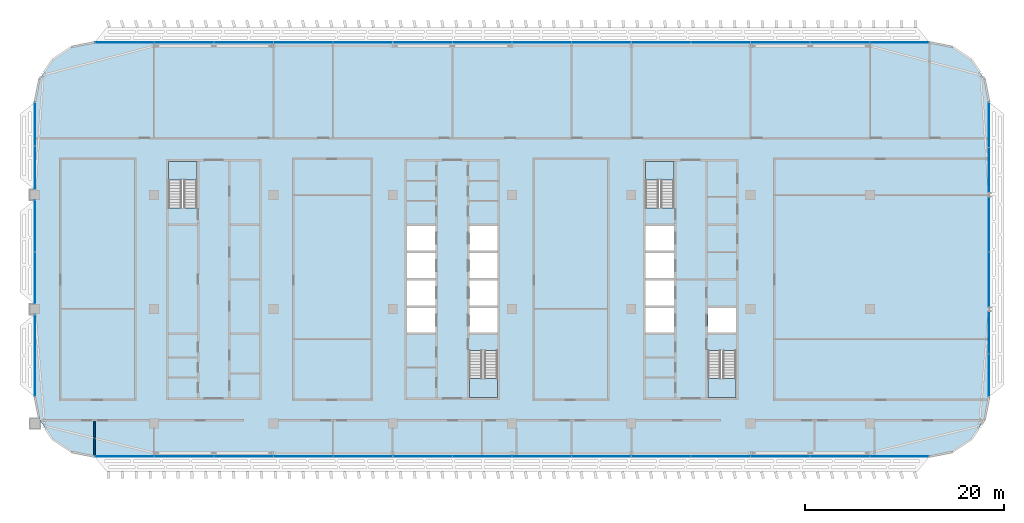
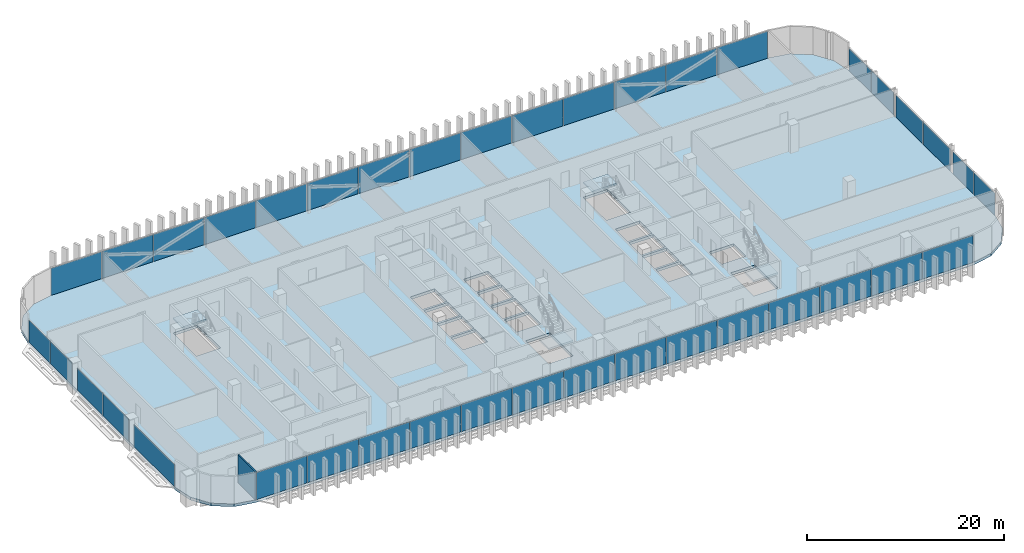
# One storey, part 16 of 35: 39 plates, 5 slabs, 1 wall, 12 elements without a shape of their own.
"""IFC4 building model written with IfcOpenShell, lengths in metres."""

from ifc_helpers import new_model, si_unit, direction, frame, frame_2d, origin, origin_2d, place, context, subcontext, project, spatial, polyline, rectangle, outline, extrude, material, layer, layer_set, type_object, element, aggregate, save


model = new_model("IFC4")

# Units and contexts
model_context = context("Model", 3, precision=1e-05, world=origin(), true_north=direction((0.0, 1.0)))
body_context = subcontext(model_context, "Body", "Model", "MODEL_VIEW")
ifc_project = project(units=[si_unit("LENGTHUNIT", "METRE"), si_unit("AREAUNIT", "SQUARE_METRE"), si_unit("VOLUMEUNIT", "CUBIC_METRE"), si_unit("PLANEANGLEUNIT", "RADIAN"), si_unit("MASSUNIT", "GRAM", prefix="KILO")], contexts=[model_context])

# Site, building, storey
site_placement = place(None, origin())
site = spatial("IfcSite", under=ifc_project, at=site_placement, CompositionType="ELEMENT")
building_placement = place(site_placement, origin())
building = spatial("IfcBuilding", under=site, at=building_placement, Name="Mahtab Terrace Research Tower", CompositionType="ELEMENT")
storey_placement = place(building_placement, frame((0.0, 0.0, 251.39990234375)))
storey = spatial("IfcBuildingStorey", under=building, at=storey_placement, Name="L61", CompositionType="ELEMENT", Elevation=251.39990234375)

# Stair, slab
ifc_material_1 = material(Name="Exit stair half-turn")
stair_type = type_object("IfcStairType", Name="Exit stair half-turn", PredefinedType="HALF_TURN_STAIR", material=ifc_material_1)
stair_1_placement = place(storey_placement, origin())
stair_1 = element("IfcStair", 1, at=stair_1_placement, inside=storey, type_object=stair_type, Name="L61 Protected exit stair ST1", PredefinedType="HALF_TURN_STAIR")
ifc_material_2 = material(Name="Concrete C40/50", Category="concrete")
ifc_layer_1 = layer(ifc_material_2, 0.199951171875)
ifc_layer_set_1 = layer_set([ifc_layer_1], Name="Exit stair landing 200")
slab_type_1 = type_object("IfcSlabType", Name="Exit stair landing 200", PredefinedType="LANDING", material=ifc_layer_set_1)
slab_1_placement = place(storey_placement, frame((0.0, 0.0, 1.7001953125)))
slab_1 = element("IfcSlab", 2, at=slab_1_placement, type_object=slab_type_1, Name="ST1 landing 1", PredefinedType="LANDING", context=body_context, shape_type="SweptSolid", body=[
    extrude(outline(polyline([(-25.699951171875, 12.97509765625), (-25.699951171875, 14.875), (-28.550048828125, 14.875), (-28.550048828125, 12.97509765625), (-25.699951171875, 12.97509765625)])), origin(), (0.0, 0.0, 1.0), 0.199951171875),
])
aggregate(stair_1, [slab_1])

stair_2_placement = place(storey_placement, origin())
stair_2 = element("IfcStair", 3, at=stair_2_placement, inside=storey, type_object=stair_type, Name="L61 Protected exit stair ST2", PredefinedType="HALF_TURN_STAIR")
slab_2_placement = place(storey_placement, frame((0.0, 0.0, 1.7001953125)))
slab_2 = element("IfcSlab", 4, at=slab_2_placement, type_object=slab_type_1, Name="ST2 landing 1", PredefinedType="LANDING", context=body_context, shape_type="SweptSolid", body=[
    extrude(outline(polyline([(1.699951171875, -6.97509765625), (1.699951171875, -8.875), (4.550048828125, -8.875), (4.550048828125, -6.97509765625), (1.699951171875, -6.97509765625)])), origin(), (0.0, 0.0, 1.0), 0.199951171875),
])
aggregate(stair_2, [slab_2])

stair_3_placement = place(storey_placement, origin())
stair_3 = element("IfcStair", 5, at=stair_3_placement, inside=storey, type_object=stair_type, Name="L61 Protected exit stair ST3", PredefinedType="HALF_TURN_STAIR")
slab_3_placement = place(storey_placement, frame((0.0, 0.0, 1.7001953125)))
slab_3 = element("IfcSlab", 6, at=slab_3_placement, type_object=slab_type_1, Name="ST3 landing 1", PredefinedType="LANDING", context=body_context, shape_type="SweptSolid", body=[
    extrude(outline(polyline([(22.300048828125, 12.97509765625), (22.300048828125, 14.875), (19.449951171875, 14.875), (19.449951171875, 12.97509765625), (22.300048828125, 12.97509765625)])), origin(), (0.0, 0.0, 1.0), 0.199951171875),
])
aggregate(stair_3, [slab_3])

stair_4_placement = place(storey_placement, origin())
stair_4 = element("IfcStair", 7, at=stair_4_placement, inside=storey, type_object=stair_type, Name="L61 Protected exit stair ST4", PredefinedType="HALF_TURN_STAIR")
slab_4_placement = place(storey_placement, frame((0.0, 0.0, 1.7001953125)))
slab_4 = element("IfcSlab", 8, at=slab_4_placement, type_object=slab_type_1, Name="ST4 landing 1", PredefinedType="LANDING", context=body_context, shape_type="SweptSolid", body=[
    extrude(outline(polyline([(25.699951171875, -6.97509765625), (25.699951171875, -8.875), (28.550048828125, -8.875), (28.550048828125, -6.97509765625), (25.699951171875, -6.97509765625)])), origin(), (0.0, 0.0, 1.0), 0.199951171875),
])
aggregate(stair_4, [slab_4])

# Curtain wall, plates
ifc_material_3 = material(Name="Office ribbon curtain wall")
curtain_wall_type = type_object("IfcCurtainWallType", Name="Office ribbon curtain wall", PredefinedType="NOTDEFINED", material=ifc_material_3)
curtain_wall_1_placement = place(storey_placement, origin())
curtain_wall_1 = element("IfcCurtainWall", 9, at=curtain_wall_1_placement, inside=storey, type_object=curtain_wall_type, Name="EN.L61.3.4", PredefinedType="NOTDEFINED")
ifc_material_4 = material(Name="Dark glazing", Category="glass")
ifc_layer_2 = layer(ifc_material_4, 0.030029296875)
ifc_layer_set_2 = layer_set([ifc_layer_2], Name="Office ribbon curtain wall glazing panel")
plate_type_1 = type_object("IfcPlateType", Name="Office ribbon curtain wall glazing panel", PredefinedType="CURTAIN_PANEL", material=ifc_layer_set_2)
plate_1_placement = place(storey_placement, frame((44.985107421875, 26.833984375, 0.0), z_axis=(0.0, 0.0, 1.0), x_axis=(-1.0, 0.0, 0.0)))
plate_1 = element("IfcPlate", 10, at=plate_1_placement, type_object=plate_type_1, Name="CWO-7 panel 1", PredefinedType="CURTAIN_PANEL", context=body_context, shape_type="SweptSolid", body=[
    extrude(rectangle(XDim=5.909912109375, YDim=0.030029296875, at=origin_2d()), origin(), (0.0, 0.0, 1.0), 3.360107421875),
])
plate_2_placement = place(storey_placement, frame((27.0, 26.833984375, 0.0), z_axis=(0.0, 0.0, 1.0), x_axis=(-1.0, 0.0, 0.0)))
plate_2 = element("IfcPlate", 11, at=plate_2_placement, type_object=plate_type_1, Name="CWO-7 panel 4", PredefinedType="CURTAIN_PANEL", context=body_context, shape_type="SweptSolid", body=[
    extrude(rectangle(XDim=5.93994140625, YDim=0.030029296875, at=origin_2d()), origin(), (0.0, 0.0, 1.0), 3.360107421875),
])
plate_3_placement = place(storey_placement, frame((21.0, 26.833984375, 0.0), z_axis=(0.0, 0.0, 1.0), x_axis=(-1.0, 0.0, 0.0)))
plate_3 = element("IfcPlate", 12, at=plate_3_placement, type_object=plate_type_1, Name="CWO-7 panel 5", PredefinedType="CURTAIN_PANEL", context=body_context, shape_type="SweptSolid", body=[
    extrude(rectangle(XDim=5.93994140625, YDim=0.030029296875, at=origin_2d()), origin(), (0.0, 0.0, 1.0), 3.360107421875),
])
plate_4_placement = place(storey_placement, frame((15.0, 26.833984375, 0.0), z_axis=(0.0, 0.0, 1.0), x_axis=(-1.0, 0.0, 0.0)))
plate_4 = element("IfcPlate", 13, at=plate_4_placement, type_object=plate_type_1, Name="CWO-7 panel 6", PredefinedType="CURTAIN_PANEL", context=body_context, shape_type="SweptSolid", body=[
    extrude(rectangle(XDim=5.93994140625, YDim=0.030029296875, at=origin_2d()), origin(), (0.0, 0.0, 1.0), 3.360107421875),
])
plate_5_placement = place(storey_placement, frame((9.0, 26.833984375, 0.0), z_axis=(0.0, 0.0, 1.0), x_axis=(-1.0, 0.0, 0.0)))
plate_5 = element("IfcPlate", 14, at=plate_5_placement, type_object=plate_type_1, Name="CWO-7 panel 7", PredefinedType="CURTAIN_PANEL", context=body_context, shape_type="SweptSolid", body=[
    extrude(rectangle(XDim=5.93994140625, YDim=0.030029296875, at=origin_2d()), origin(), (0.0, 0.0, 1.0), 3.360107421875),
])
plate_6_placement = place(storey_placement, frame((-9.0, 26.833984375, 0.0), z_axis=(0.0, 0.0, 1.0), x_axis=(-1.0, 0.0, 0.0)))
plate_6 = element("IfcPlate", 15, at=plate_6_placement, type_object=plate_type_1, Name="CWO-7 panel 10", PredefinedType="CURTAIN_PANEL", context=body_context, shape_type="SweptSolid", body=[
    extrude(rectangle(XDim=5.93994140625, YDim=0.030029296875, at=origin_2d()), origin(), (0.0, 0.0, 1.0), 3.360107421875),
])
plate_7_placement = place(storey_placement, frame((-15.0, 26.833984375, 0.0), z_axis=(0.0, 0.0, 1.0), x_axis=(-1.0, 0.0, 0.0)))
plate_7 = element("IfcPlate", 16, at=plate_7_placement, type_object=plate_type_1, Name="CWO-7 panel 11", PredefinedType="CURTAIN_PANEL", context=body_context, shape_type="SweptSolid", body=[
    extrude(rectangle(XDim=5.93994140625, YDim=0.030029296875, at=origin_2d()), origin(), (0.0, 0.0, 1.0), 3.360107421875),
])
plate_8_placement = place(storey_placement, frame((-32.985107421875, 26.833984375, 0.0), z_axis=(0.0, 0.0, 1.0), x_axis=(-1.0, 0.0, 0.0)))
plate_8 = element("IfcPlate", 17, at=plate_8_placement, type_object=plate_type_1, Name="CWO-7 panel 14", PredefinedType="CURTAIN_PANEL", context=body_context, shape_type="SweptSolid", body=[
    extrude(rectangle(XDim=5.909912109375, YDim=0.030029296875, at=origin_2d()), origin(), (0.0, 0.0, 1.0), 3.360107421875),
])

curtain_wall_2_placement = place(storey_placement, origin())
curtain_wall_2 = element("IfcCurtainWall", 18, at=curtain_wall_2_placement, inside=storey, type_object=curtain_wall_type, Name="EN.L61.8.10", PredefinedType="NOTDEFINED")
plate_9_placement = place(storey_placement, frame((-42.0, 18.610595703125, 0.0), z_axis=(0.0, 0.0, 1.0), x_axis=(0.0, -1.0, 0.0)))
plate_9 = element("IfcPlate", 19, at=plate_9_placement, type_object=plate_type_1, Name="CWO-7 panel 1", PredefinedType="CURTAIN_PANEL", context=body_context, shape_type="SweptSolid", body=[
    extrude(rectangle(XDim=4.326904296875, YDim=0.030029296875, at=origin_2d()), origin(), (0.0, 0.0, 1.0), 2.7529296875),
])
plate_10_placement = place(storey_placement, frame((-42.0, 14.223388671875, 0.0), z_axis=(0.0, 0.0, 1.0), x_axis=(0.0, -1.0, 0.0)))
plate_10 = element("IfcPlate", 20, at=plate_10_placement, type_object=plate_type_1, Name="CWO-7 panel 2", PredefinedType="CURTAIN_PANEL", context=body_context, shape_type="SweptSolid", body=[
    extrude(rectangle(XDim=4.326904296875, YDim=0.030029296875, at=origin_2d()), origin(), (0.0, 0.0, 1.0), 2.7529296875),
])
aggregate(curtain_wall_2, [plate_9, plate_10])

curtain_wall_3_placement = place(storey_placement, origin())
curtain_wall_3 = element("IfcCurtainWall", 21, at=curtain_wall_3_placement, inside=storey, type_object=curtain_wall_type, Name="EN.L61.8.11", PredefinedType="NOTDEFINED")
plate_11_placement = place(storey_placement, frame((-42.0, 8.360107421875, 0.0), z_axis=(0.0, 0.0, 1.0), x_axis=(0.0, -1.0, 0.0)))
plate_11 = element("IfcPlate", 22, at=plate_11_placement, type_object=plate_type_1, Name="CWO-7 panel 1", PredefinedType="CURTAIN_PANEL", context=body_context, shape_type="SweptSolid", body=[
    extrude(rectangle(XDim=5.159912109375, YDim=0.030029296875, at=origin_2d()), origin(), (0.0, 0.0, 1.0), 2.7529296875),
])
plate_12_placement = place(storey_placement, frame((-42.0, 3.139892578125, 0.0), z_axis=(0.0, 0.0, 1.0), x_axis=(0.0, -1.0, 0.0)))
plate_12 = element("IfcPlate", 23, at=plate_12_placement, type_object=plate_type_1, Name="CWO-7 panel 2", PredefinedType="CURTAIN_PANEL", context=body_context, shape_type="SweptSolid", body=[
    extrude(rectangle(XDim=5.159912109375, YDim=0.030029296875, at=origin_2d()), origin(), (0.0, 0.0, 1.0), 2.7529296875),
])
aggregate(curtain_wall_3, [plate_11, plate_12])

# Curtain wall, plate
curtain_wall_4_placement = place(storey_placement, origin())
curtain_wall_4 = element("IfcCurtainWall", 24, at=curtain_wall_4_placement, inside=storey, type_object=curtain_wall_type, Name="EN.L61.8.12", PredefinedType="NOTDEFINED")
plate_13_placement = place(storey_placement, frame((-42.0, -4.6669921875, 0.0), z_axis=(0.0, 0.0, 1.0), x_axis=(0.0, -1.0, 0.0)))
plate_13 = element("IfcPlate", 25, at=plate_13_placement, type_object=plate_type_1, Name="CWO-7 panel 1", PredefinedType="CURTAIN_PANEL", context=body_context, shape_type="SweptSolid", body=[
    extrude(rectangle(XDim=8.214111328125, YDim=0.030029296875, at=origin_2d()), origin(), (0.0, 0.0, 1.0), 2.7529296875),
])
aggregate(curtain_wall_4, [plate_13])

# Curtain wall, plates
curtain_wall_5_placement = place(storey_placement, origin())
curtain_wall_5 = element("IfcCurtainWall", 26, at=curtain_wall_5_placement, inside=storey, type_object=curtain_wall_type, Name="EN.L61.13.17", PredefinedType="NOTDEFINED")
plate_14_placement = place(storey_placement, frame((-32.985107421875, -14.833984375, 0.0), z_axis=(0.0, 0.0, 1.0), x_axis=(1.0, 0.0, 0.0)))
plate_14 = element("IfcPlate", 27, at=plate_14_placement, type_object=plate_type_1, Name="CWO-7 panel 1", PredefinedType="CURTAIN_PANEL", context=body_context, shape_type="SweptSolid", body=[
    extrude(rectangle(XDim=5.909912109375, YDim=0.030029296875, at=origin_2d()), origin(), (0.0, 0.0, 1.0), 3.360107421875),
])
plate_15_placement = place(storey_placement, frame((-15.0, -14.833984375, 0.0), z_axis=(0.0, 0.0, 1.0), x_axis=(1.0, 0.0, 0.0)))
plate_15 = element("IfcPlate", 28, at=plate_15_placement, type_object=plate_type_1, Name="CWO-7 panel 4", PredefinedType="CURTAIN_PANEL", context=body_context, shape_type="SweptSolid", body=[
    extrude(rectangle(XDim=5.93994140625, YDim=0.030029296875, at=origin_2d()), origin(), (0.0, 0.0, 1.0), 3.360107421875),
])
plate_16_placement = place(storey_placement, frame((-9.0, -14.833984375, 0.0), z_axis=(0.0, 0.0, 1.0), x_axis=(1.0, 0.0, 0.0)))
plate_16 = element("IfcPlate", 29, at=plate_16_placement, type_object=plate_type_1, Name="CWO-7 panel 5", PredefinedType="CURTAIN_PANEL", context=body_context, shape_type="SweptSolid", body=[
    extrude(rectangle(XDim=5.93994140625, YDim=0.030029296875, at=origin_2d()), origin(), (0.0, 0.0, 1.0), 3.360107421875),
])
plate_17_placement = place(storey_placement, frame((-3.0, -14.833984375, 0.0), z_axis=(0.0, 0.0, 1.0), x_axis=(1.0, 0.0, 0.0)))
plate_17 = element("IfcPlate", 30, at=plate_17_placement, type_object=plate_type_1, Name="CWO-7 panel 6", PredefinedType="CURTAIN_PANEL", context=body_context, shape_type="SweptSolid", body=[
    extrude(rectangle(XDim=5.93994140625, YDim=0.030029296875, at=origin_2d()), origin(), (0.0, 0.0, 1.0), 3.360107421875),
])
plate_18_placement = place(storey_placement, frame((3.0, -14.833984375, 0.0), z_axis=(0.0, 0.0, 1.0), x_axis=(1.0, 0.0, 0.0)))
plate_18 = element("IfcPlate", 31, at=plate_18_placement, type_object=plate_type_1, Name="CWO-7 panel 7", PredefinedType="CURTAIN_PANEL", context=body_context, shape_type="SweptSolid", body=[
    extrude(rectangle(XDim=5.93994140625, YDim=0.030029296875, at=origin_2d()), origin(), (0.0, 0.0, 1.0), 3.360107421875),
])
plate_19_placement = place(storey_placement, frame((9.0, -14.833984375, 0.0), z_axis=(0.0, 0.0, 1.0), x_axis=(1.0, 0.0, 0.0)))
plate_19 = element("IfcPlate", 32, at=plate_19_placement, type_object=plate_type_1, Name="CWO-7 panel 8", PredefinedType="CURTAIN_PANEL", context=body_context, shape_type="SweptSolid", body=[
    extrude(rectangle(XDim=5.93994140625, YDim=0.030029296875, at=origin_2d()), origin(), (0.0, 0.0, 1.0), 3.360107421875),
])
plate_20_placement = place(storey_placement, frame((15.0, -14.833984375, 0.0), z_axis=(0.0, 0.0, 1.0), x_axis=(1.0, 0.0, 0.0)))
plate_20 = element("IfcPlate", 33, at=plate_20_placement, type_object=plate_type_1, Name="CWO-7 panel 9", PredefinedType="CURTAIN_PANEL", context=body_context, shape_type="SweptSolid", body=[
    extrude(rectangle(XDim=5.93994140625, YDim=0.030029296875, at=origin_2d()), origin(), (0.0, 0.0, 1.0), 3.360107421875),
])
plate_21_placement = place(storey_placement, frame((21.0, -14.833984375, 0.0), z_axis=(0.0, 0.0, 1.0), x_axis=(1.0, 0.0, 0.0)))
plate_21 = element("IfcPlate", 34, at=plate_21_placement, type_object=plate_type_1, Name="CWO-7 panel 10", PredefinedType="CURTAIN_PANEL", context=body_context, shape_type="SweptSolid", body=[
    extrude(rectangle(XDim=5.93994140625, YDim=0.030029296875, at=origin_2d()), origin(), (0.0, 0.0, 1.0), 3.360107421875),
])
plate_22_placement = place(storey_placement, frame((27.0, -14.833984375, 0.0), z_axis=(0.0, 0.0, 1.0), x_axis=(1.0, 0.0, 0.0)))
plate_22 = element("IfcPlate", 35, at=plate_22_placement, type_object=plate_type_1, Name="CWO-7 panel 11", PredefinedType="CURTAIN_PANEL", context=body_context, shape_type="SweptSolid", body=[
    extrude(rectangle(XDim=5.93994140625, YDim=0.030029296875, at=origin_2d()), origin(), (0.0, 0.0, 1.0), 3.360107421875),
])
plate_23_placement = place(storey_placement, frame((44.985107421875, -14.833984375, 0.0), z_axis=(0.0, 0.0, 1.0), x_axis=(1.0, 0.0, 0.0)))
plate_23 = element("IfcPlate", 36, at=plate_23_placement, type_object=plate_type_1, Name="CWO-7 panel 14", PredefinedType="CURTAIN_PANEL", context=body_context, shape_type="SweptSolid", body=[
    extrude(rectangle(XDim=5.909912109375, YDim=0.030029296875, at=origin_2d()), origin(), (0.0, 0.0, 1.0), 3.360107421875),
])

curtain_wall_6_placement = place(storey_placement, origin())
curtain_wall_6 = element("IfcCurtainWall", 37, at=curtain_wall_6_placement, inside=storey, type_object=curtain_wall_type, Name="EN.L61.18.23", PredefinedType="NOTDEFINED")
plate_24_placement = place(storey_placement, frame((54.0, -6.65869140625, 0.0), z_axis=(0.0, 0.0, 1.0), x_axis=(0.0, 1.0, 0.0)))
plate_24 = element("IfcPlate", 38, at=plate_24_placement, type_object=plate_type_1, Name="CWO-7 panel 1", PredefinedType="CURTAIN_PANEL", context=body_context, shape_type="SweptSolid", body=[
    extrude(rectangle(XDim=4.23046875, YDim=0.030029296875, at=origin_2d()), origin(), (0.0, 0.0, 1.0), 2.7529296875),
])
plate_25_placement = place(storey_placement, frame((54.0, -2.3681640625, 0.0), z_axis=(0.0, 0.0, 1.0), x_axis=(0.0, 1.0, 0.0)))
plate_25 = element("IfcPlate", 39, at=plate_25_placement, type_object=plate_type_1, Name="CWO-7 panel 2", PredefinedType="CURTAIN_PANEL", context=body_context, shape_type="SweptSolid", body=[
    extrude(rectangle(XDim=4.23046875, YDim=0.030029296875, at=origin_2d()), origin(), (0.0, 0.0, 1.0), 2.7529296875),
])
aggregate(curtain_wall_6, [plate_24, plate_25])

curtain_wall_7_placement = place(storey_placement, origin())
curtain_wall_7 = element("IfcCurtainWall", 40, at=curtain_wall_7_placement, inside=storey, type_object=curtain_wall_type, Name="EN.L61.18.24", PredefinedType="NOTDEFINED")
plate_26_placement = place(storey_placement, frame((54.0, 2.986572265625, 0.0), z_axis=(0.0, 0.0, 1.0), x_axis=(0.0, 1.0, 0.0)))
plate_26 = element("IfcPlate", 41, at=plate_26_placement, type_object=plate_type_1, Name="CWO-7 panel 1", PredefinedType="CURTAIN_PANEL", context=body_context, shape_type="SweptSolid", body=[
    extrude(rectangle(XDim=5.467041015625, YDim=0.030029296875, at=origin_2d()), origin(), (0.0, 0.0, 1.0), 2.7529296875),
])
plate_27_placement = place(storey_placement, frame((54.0, 8.513427734375, 0.0), z_axis=(0.0, 0.0, 1.0), x_axis=(0.0, 1.0, 0.0)))
plate_27 = element("IfcPlate", 42, at=plate_27_placement, type_object=plate_type_1, Name="CWO-7 panel 2", PredefinedType="CURTAIN_PANEL", context=body_context, shape_type="SweptSolid", body=[
    extrude(rectangle(XDim=5.467041015625, YDim=0.030029296875, at=origin_2d()), origin(), (0.0, 0.0, 1.0), 2.7529296875),
])
aggregate(curtain_wall_7, [plate_26, plate_27])

curtain_wall_8_placement = place(storey_placement, origin())
curtain_wall_8 = element("IfcCurtainWall", 43, at=curtain_wall_8_placement, inside=storey, type_object=curtain_wall_type, Name="EN.L61.18.25", PredefinedType="NOTDEFINED")
plate_28_placement = place(storey_placement, frame((54.0, 13.9931640625, 0.0), z_axis=(0.0, 0.0, 1.0), x_axis=(0.0, 1.0, 0.0)))
plate_28 = element("IfcPlate", 44, at=plate_28_placement, type_object=plate_type_1, Name="CWO-7 panel 1", PredefinedType="CURTAIN_PANEL", context=body_context, shape_type="SweptSolid", body=[
    extrude(rectangle(XDim=4.48046875, YDim=0.030029296875, at=origin_2d()), origin(), (0.0, 0.0, 1.0), 2.7529296875),
])
plate_29_placement = place(storey_placement, frame((54.0, 18.53369140625, 0.0), z_axis=(0.0, 0.0, 1.0), x_axis=(0.0, 1.0, 0.0)))
plate_29 = element("IfcPlate", 45, at=plate_29_placement, type_object=plate_type_1, Name="CWO-7 panel 2", PredefinedType="CURTAIN_PANEL", context=body_context, shape_type="SweptSolid", body=[
    extrude(rectangle(XDim=4.48046875, YDim=0.030029296875, at=origin_2d()), origin(), (0.0, 0.0, 1.0), 2.7529296875),
])
aggregate(curtain_wall_8, [plate_28, plate_29])

# Plate
ifc_material_5 = material(Name="Insulated aluminium spandrel panel", Category="aluminium")
ifc_layer_3 = layer(ifc_material_5, 0.030029296875)
ifc_layer_set_3 = layer_set([ifc_layer_3], Name="Office ribbon curtain wall spandrel infill panel")
plate_type_2 = type_object("IfcPlateType", Name="Office ribbon curtain wall spandrel infill panel", PredefinedType="CURTAIN_PANEL", material=ifc_layer_set_3)
plate_30_placement = place(storey_placement, frame((39.0, 26.833984375, 0.0), z_axis=(0.0, 0.0, 1.0), x_axis=(-1.0, 0.0, 0.0)))
plate_30 = element("IfcPlate", 46, at=plate_30_placement, type_object=plate_type_2, Name="CWO-7 infill panel 2", PredefinedType="CURTAIN_PANEL", context=body_context, shape_type="SweptSolid", body=[
    extrude(rectangle(XDim=5.93994140625, YDim=0.030029296875, at=origin_2d()), origin(), (0.0, 0.0, 1.0), 3.360107421875),
])

plate_31_placement = place(storey_placement, frame((33.0, 26.833984375, 0.0), z_axis=(0.0, 0.0, 1.0), x_axis=(-1.0, 0.0, 0.0)))
plate_31 = element("IfcPlate", 47, at=plate_31_placement, type_object=plate_type_2, Name="CWO-7 infill panel 3", PredefinedType="CURTAIN_PANEL", context=body_context, shape_type="SweptSolid", body=[
    extrude(rectangle(XDim=5.93994140625, YDim=0.030029296875, at=origin_2d()), origin(), (0.0, 0.0, 1.0), 3.360107421875),
])

plate_32_placement = place(storey_placement, frame((3.0, 26.833984375, 0.0), z_axis=(0.0, 0.0, 1.0), x_axis=(-1.0, 0.0, 0.0)))
plate_32 = element("IfcPlate", 48, at=plate_32_placement, type_object=plate_type_2, Name="CWO-7 infill panel 8", PredefinedType="CURTAIN_PANEL", context=body_context, shape_type="SweptSolid", body=[
    extrude(rectangle(XDim=5.93994140625, YDim=0.030029296875, at=origin_2d()), origin(), (0.0, 0.0, 1.0), 3.360107421875),
])

plate_33_placement = place(storey_placement, frame((-3.0, 26.833984375, 0.0), z_axis=(0.0, 0.0, 1.0), x_axis=(-1.0, 0.0, 0.0)))
plate_33 = element("IfcPlate", 49, at=plate_33_placement, type_object=plate_type_2, Name="CWO-7 infill panel 9", PredefinedType="CURTAIN_PANEL", context=body_context, shape_type="SweptSolid", body=[
    extrude(rectangle(XDim=5.93994140625, YDim=0.030029296875, at=origin_2d()), origin(), (0.0, 0.0, 1.0), 3.360107421875),
])

plate_34_placement = place(storey_placement, frame((-21.0, 26.833984375, 0.0), z_axis=(0.0, 0.0, 1.0), x_axis=(-1.0, 0.0, 0.0)))
plate_34 = element("IfcPlate", 50, at=plate_34_placement, type_object=plate_type_2, Name="CWO-7 infill panel 12", PredefinedType="CURTAIN_PANEL", context=body_context, shape_type="SweptSolid", body=[
    extrude(rectangle(XDim=5.93994140625, YDim=0.030029296875, at=origin_2d()), origin(), (0.0, 0.0, 1.0), 3.360107421875),
])

plate_35_placement = place(storey_placement, frame((-27.0, 26.833984375, 0.0), z_axis=(0.0, 0.0, 1.0), x_axis=(-1.0, 0.0, 0.0)))
plate_35 = element("IfcPlate", 51, at=plate_35_placement, type_object=plate_type_2, Name="CWO-7 infill panel 13", PredefinedType="CURTAIN_PANEL", context=body_context, shape_type="SweptSolid", body=[
    extrude(rectangle(XDim=5.93994140625, YDim=0.030029296875, at=origin_2d()), origin(), (0.0, 0.0, 1.0), 3.360107421875),
])

aggregate(curtain_wall_1, [plate_1, plate_30, plate_31, plate_2, plate_3, plate_4, plate_5, plate_32, plate_33, plate_6, plate_7, plate_34, plate_35, plate_8])

plate_36_placement = place(storey_placement, frame((-27.0, -14.833984375, 0.0), z_axis=(0.0, 0.0, 1.0), x_axis=(1.0, 0.0, 0.0)))
plate_36 = element("IfcPlate", 52, at=plate_36_placement, type_object=plate_type_2, Name="CWO-7 infill panel 2", PredefinedType="CURTAIN_PANEL", context=body_context, shape_type="SweptSolid", body=[
    extrude(rectangle(XDim=5.93994140625, YDim=0.030029296875, at=origin_2d()), origin(), (0.0, 0.0, 1.0), 3.360107421875),
])

plate_37_placement = place(storey_placement, frame((-21.0, -14.833984375, 0.0), z_axis=(0.0, 0.0, 1.0), x_axis=(1.0, 0.0, 0.0)))
plate_37 = element("IfcPlate", 53, at=plate_37_placement, type_object=plate_type_2, Name="CWO-7 infill panel 3", PredefinedType="CURTAIN_PANEL", context=body_context, shape_type="SweptSolid", body=[
    extrude(rectangle(XDim=5.93994140625, YDim=0.030029296875, at=origin_2d()), origin(), (0.0, 0.0, 1.0), 3.360107421875),
])

plate_38_placement = place(storey_placement, frame((33.0, -14.833984375, 0.0), z_axis=(0.0, 0.0, 1.0), x_axis=(1.0, 0.0, 0.0)))
plate_38 = element("IfcPlate", 54, at=plate_38_placement, type_object=plate_type_2, Name="CWO-7 infill panel 12", PredefinedType="CURTAIN_PANEL", context=body_context, shape_type="SweptSolid", body=[
    extrude(rectangle(XDim=5.93994140625, YDim=0.030029296875, at=origin_2d()), origin(), (0.0, 0.0, 1.0), 3.360107421875),
])

plate_39_placement = place(storey_placement, frame((39.0, -14.833984375, 0.0), z_axis=(0.0, 0.0, 1.0), x_axis=(1.0, 0.0, 0.0)))
plate_39 = element("IfcPlate", 55, at=plate_39_placement, type_object=plate_type_2, Name="CWO-7 infill panel 13", PredefinedType="CURTAIN_PANEL", context=body_context, shape_type="SweptSolid", body=[
    extrude(rectangle(XDim=5.93994140625, YDim=0.030029296875, at=origin_2d()), origin(), (0.0, 0.0, 1.0), 3.360107421875),
])

aggregate(curtain_wall_5, [plate_14, plate_36, plate_37, plate_15, plate_16, plate_17, plate_18, plate_19, plate_20, plate_21, plate_22, plate_38, plate_39, plate_23])

# Slab
ifc_layer_4 = layer(ifc_material_2, 0.340087890625)
ifc_layer_set_4 = layer_set([ifc_layer_4], Name="PT flat slab 340")
slab_type_2 = type_object("IfcSlabType", Name="PT flat slab 340", PredefinedType="FLOOR", material=ifc_layer_set_4)
slab_5_placement = place(storey_placement, frame((0.0, 0.0, -0.33984375)))
element("IfcSlab", 56, at=slab_5_placement, inside=storey, type_object=slab_type_2, Name="Floor slab L61", PredefinedType="FLOOR", context=body_context, shape_type="SweptSolid", body=[
    extrude(outline(polyline([(53.54296875, 23.1298828125), (52.242919921875, 25.076904296875), (50.2958984375, 26.376953125), (48.0, 26.833984375), (-36.0, 26.833984375), (-38.2958984375, 26.376953125), (-40.242919921875, 25.076904296875), (-41.54296875, 23.1298828125), (-42.0, 20.833984375), (-42.0, -8.833984375), (-41.54296875, -11.1298828125), (-40.242919921875, -13.076904296875), (-38.2958984375, -14.376953125), (-36.0, -14.833984375), (48.0, -14.833984375), (50.2958984375, -14.376953125), (52.242919921875, -13.076904296875), (53.54296875, -11.1298828125), (54.0, -8.833984375), (54.0, 20.833984375), (53.54296875, 23.1298828125)]), holes=[polyline([(-4.550048828125, -2.375), (-4.550048828125, 0.125), (-1.699951171875, 0.125), (-1.699951171875, -2.375), (-4.550048828125, -2.375)]), polyline([(1.699951171875, -2.375), (1.699951171875, 0.125), (4.550048828125, 0.125), (4.550048828125, -2.375), (1.699951171875, -2.375)]), polyline([(-4.550048828125, 0.375), (-4.550048828125, 2.875), (-1.699951171875, 2.875), (-1.699951171875, 0.375), (-4.550048828125, 0.375)]), polyline([(1.699951171875, 0.375), (1.699951171875, 2.875), (4.550048828125, 2.875), (4.550048828125, 0.375), (1.699951171875, 0.375)]), polyline([(-4.550048828125, 3.125), (-4.550048828125, 5.625), (-1.699951171875, 5.625), (-1.699951171875, 3.125), (-4.550048828125, 3.125)]), polyline([(1.699951171875, 3.125), (1.699951171875, 5.625), (4.550048828125, 5.625), (4.550048828125, 3.125), (1.699951171875, 3.125)]), polyline([(-4.550048828125, 5.875), (-4.550048828125, 8.375), (-1.699951171875, 8.375), (-1.699951171875, 5.875), (-4.550048828125, 5.875)]), polyline([(1.699951171875, 5.875), (1.699951171875, 8.375), (4.550048828125, 8.375), (4.550048828125, 5.875), (1.699951171875, 5.875)]), polyline([(-28.550048828125, 10.177001953125), (-28.550048828125, 14.875), (-25.699951171875, 14.875), (-25.699951171875, 10.177001953125), (-28.550048828125, 10.177001953125)]), polyline([(1.699951171875, -8.875), (1.699951171875, -4.177001953125), (4.550048828125, -4.177001953125), (4.550048828125, -8.875), (1.699951171875, -8.875)]), polyline([(25.699951171875, -8.875), (25.699951171875, -4.177001953125), (28.550048828125, -4.177001953125), (28.550048828125, -8.875), (25.699951171875, -8.875)]), polyline([(19.449951171875, -2.375), (19.449951171875, 0.125), (22.300048828125, 0.125), (22.300048828125, -2.375), (19.449951171875, -2.375)]), polyline([(25.699951171875, -2.375), (25.699951171875, 0.125), (28.550048828125, 0.125), (28.550048828125, -2.375), (25.699951171875, -2.375)]), polyline([(19.449951171875, 0.375), (19.449951171875, 2.875), (22.300048828125, 2.875), (22.300048828125, 0.375), (19.449951171875, 0.375)]), polyline([(19.449951171875, 3.125), (19.449951171875, 5.625), (22.300048828125, 5.625), (22.300048828125, 3.125), (19.449951171875, 3.125)]), polyline([(19.449951171875, 8.375), (22.300048828125, 8.375), (22.300048828125, 5.875), (19.449951171875, 5.875), (19.449951171875, 8.375)]), polyline([(19.449951171875, 14.875), (22.300048828125, 14.875), (22.300048828125, 10.177001953125), (19.449951171875, 10.177001953125), (19.449951171875, 14.875)])]), origin(), (0.0, 0.0, 1.0), 0.33984375),
])

# Wall
ifc_material_6 = material(Name="Gypsum board partition on steel studs", Category="steel")
ifc_layer_5 = layer(ifc_material_6, 0.14990234375)
ifc_layer_set_5 = layer_set([ifc_layer_5], Name="WALL PARTITION 150")
wall_type = type_object("IfcWallType", Name="WALL PARTITION 150", PredefinedType="PARTITIONING", material=ifc_layer_set_5)
wall_placement = place(storey_placement, frame((-36.0, -14.80908203125, 0.0), z_axis=(0.0, 0.0, 1.0), x_axis=(0.0, 1.0, 0.0)))
element("IfcWall", 57, at=wall_placement, inside=storey, type_object=wall_type, Name="L61-W026", PredefinedType="PARTITIONING", context=body_context, shape_type="SweptSolid", body=[
    extrude(rectangle(XDim=3.509033203125, YDim=0.14990234375, at=frame_2d((1.75439453125, 0.0))), origin(), (0.0, 0.0, 1.0), 3.460205078125),
])

save(model, "model.ifc")
